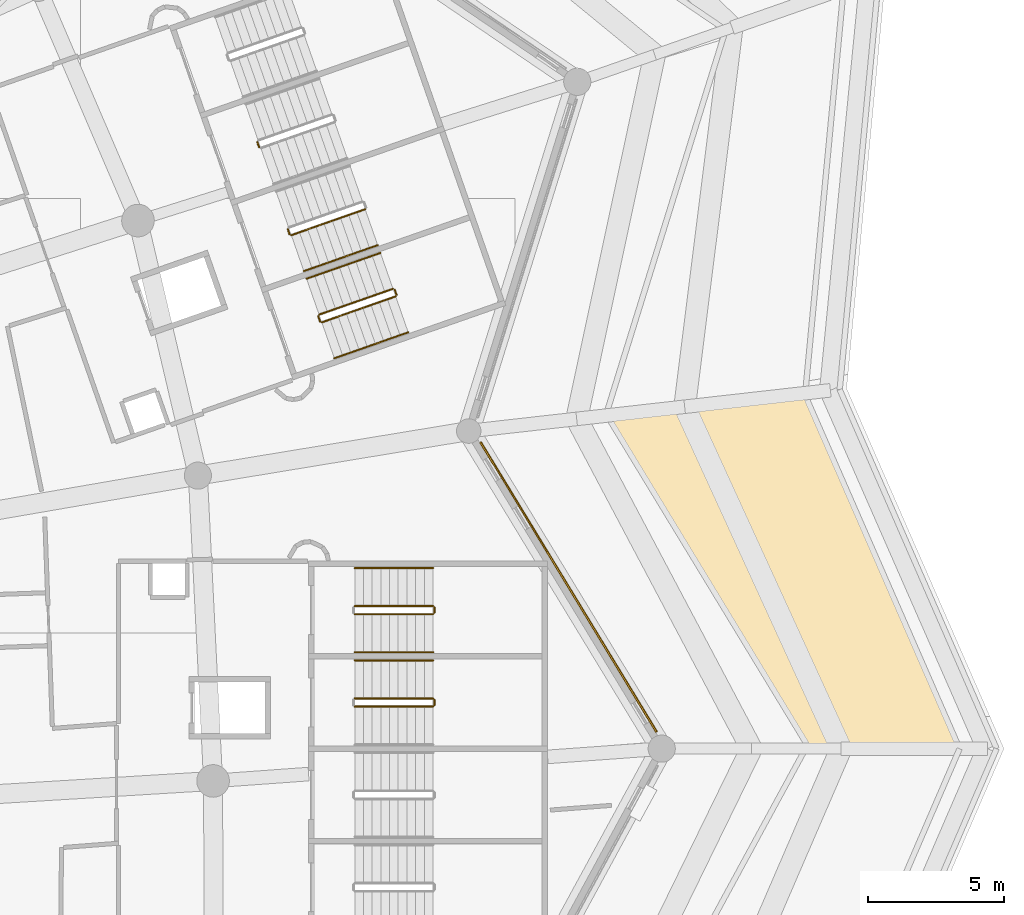
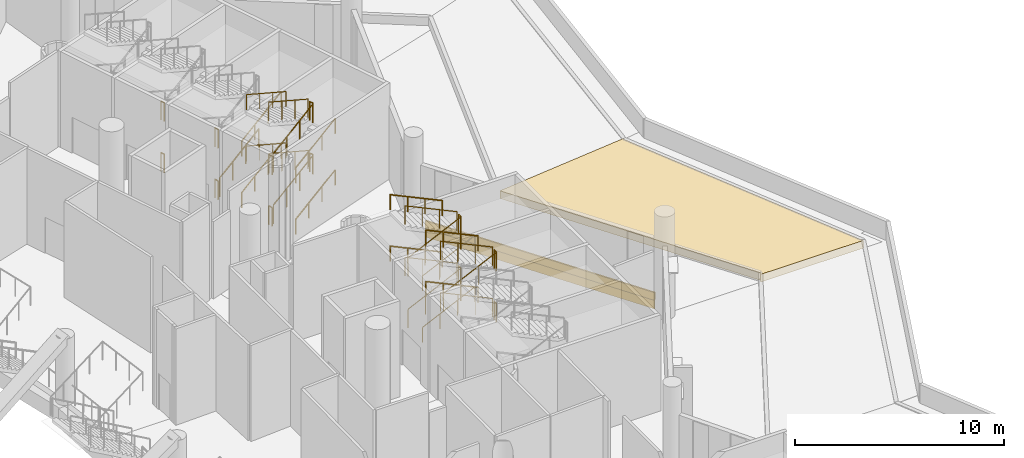
# One storey, part 164 of 173: 36 railings, 3 coverings.
"""IFC4 building model written with IfcOpenShell, lengths in metres."""

from ifc_helpers import new_model, si_unit, direction, frame, origin, origin_2d, place, context, subcontext, project, spatial, polyline, rectangle, circle, outline, extrude, material, layer, layer_set, type_object, element, save


model = new_model("IFC4")

# Units and contexts
model_context = context("Model", 3, precision=1e-05, world=origin(), true_north=direction((0.0, 1.0)))
body_context = subcontext(model_context, "Body", "Model", "MODEL_VIEW")
ifc_project = project(units=[si_unit("LENGTHUNIT", "METRE"), si_unit("AREAUNIT", "SQUARE_METRE"), si_unit("VOLUMEUNIT", "CUBIC_METRE"), si_unit("PLANEANGLEUNIT", "RADIAN"), si_unit("MASSUNIT", "GRAM", prefix="KILO")], contexts=[model_context])

# Site, building, storey
site_placement = place(None, origin())
site = spatial("IfcSite", under=ifc_project, at=site_placement, CompositionType="ELEMENT")
building_placement = place(site_placement, origin())
building = spatial("IfcBuilding", under=site, at=building_placement, Name="Meseta Stadium", CompositionType="ELEMENT")
storey_placement = place(building_placement, frame((0.0, 0.0, 18.0)))
storey = spatial("IfcBuildingStorey", under=building, at=storey_placement, Name="L03", CompositionType="ELEMENT", Elevation=18.0)

# Coverings
ifc_material_1 = material(Name="Guadarrama granite cladding", Category="masonry")
ifc_layer_1 = layer(ifc_material_1, 0.06005859375)
ifc_layer_set_1 = layer_set([ifc_layer_1], Name="Granite plinth cladding 60")
covering_type_1 = type_object("IfcCoveringType", Name="Granite plinth cladding 60", PredefinedType="CLADDING", material=ifc_layer_set_1)
covering_1_placement = place(storey_placement, frame((97.966796875, 49.697509765625, 0.0), z_axis=(0.0, 0.0, 1.0), x_axis=(0.519362515398, -0.854554022634, 0.0)))
element("IfcCovering", 1, at=covering_1_placement, inside=storey, type_object=covering_type_1, Name="Granite plinth L03 F08", PredefinedType="CLADDING", context=body_context, shape_type="SweptSolid", body=[
    extrude(rectangle(XDim=12.492431640625, YDim=0.06005859375, at=origin_2d()), origin(), (0.0, 0.0, 1.0), 0.5),
])
ifc_material_2 = material(Name="Planting soil")
ifc_layer_2 = layer(ifc_material_2, 0.449951171875)
ifc_layer_set_2 = layer_set([ifc_layer_2], Name="Planting soil 450")
covering_type_2 = type_object("IfcCoveringType", Name="Planting soil 450", PredefinedType="FLOORING", material=ifc_layer_set_2)
covering_2_placement = place(storey_placement, origin())
element("IfcCovering", 2, at=covering_2_placement, inside=storey, type_object=covering_type_2, Name="Roof garden planting bed 1.1 panel 05", PredefinedType="FLOORING", context=body_context, shape_type="SweptSolid", body=[
    extrude(outline(polyline([(106.683349609375, 56.83740234375), (99.38720703125, 56.015380859375), (106.763427734375, 43.87841796875), (106.693603515625, 43.75), (112.363037109375, 43.75), (106.676513671875, 56.76416015625), (106.683349609375, 56.83740234375)])), origin(), (0.0, 0.0, 1.0), 0.449951171875),
])

# Railings
ifc_material_3 = material(Name="Steel S355", Category="steel")
railing_type_1 = type_object("IfcRailingType", Name="Stair guard 1100", PredefinedType="GUARDRAIL", material=ifc_material_3)
railing_1_placement = place(storey_placement, frame((93.030029296875, 45.35009765625, 1.5)))
element("IfcRailing", 3, at=railing_1_placement, inside=storey, type_object=railing_type_1, Name="ST19 L03 guard 2", PredefinedType="GUARDRAIL", context=body_context, shape_type="SweptSolid", body=[
    extrude(circle(Radius=0.02392578125, at=origin_2d()), frame((0.0, 0.0, 1.076171875), z_axis=(0.0, 1.0, 0.0), x_axis=(-1.0, 0.0, 0.0)), (0.0, 0.0, 1.0), 0.199951171875),
    extrude(circle(Radius=0.02099609375, at=origin_2d()), origin(), (0.0, 0.0, 1.0), 1.052001953125),
    extrude(circle(Radius=0.02099609375, at=origin_2d()), frame((0.0, 0.199951171875, 0.0)), (0.0, 0.0, 1.0), 1.052001953125),
])
railing_2_placement = place(storey_placement, frame((92.97998046875, 45.60009765625, 1.64990234375)))
element("IfcRailing", 4, at=railing_2_placement, inside=storey, type_object=railing_type_1, Name="ST19 L03 guard 3", PredefinedType="GUARDRAIL", context=body_context, shape_type="SweptSolid", body=[
    extrude(circle(Radius=0.02392578125, at=origin_2d()), frame((0.0, 0.0, 1.076171875), z_axis=(-0.905440498372, 0.0, 0.424473207528), x_axis=(0.0, -1.0, 0.0)), (0.0, 0.0, 1.0), 3.1806640625),
    extrude(circle(Radius=0.02099609375, at=origin_2d()), origin(), (0.0, 0.0, 1.0), 1.052001953125),
    extrude(circle(Radius=0.02099609375, at=origin_2d()), frame((-0.9599609375, 0.0, 0.449951171875)), (0.0, 0.0, 1.0), 1.052001953125),
    extrude(circle(Radius=0.02099609375, at=origin_2d()), frame((-1.919921875, 0.0, 0.900146484375)), (0.0, 0.0, 1.0), 1.052001953125),
    extrude(circle(Radius=0.02099609375, at=origin_2d()), frame((-2.8798828125, 0.0, 1.35009765625)), (0.0, 0.0, 1.0), 1.052001953125),
])
railing_3_placement = place(storey_placement, frame((90.10009765625, 45.300048828125, 3.14990234375)))
element("IfcRailing", 5, at=railing_3_placement, inside=storey, type_object=railing_type_1, Name="ST19 L03 guard 5", PredefinedType="GUARDRAIL", context=body_context, shape_type="SweptSolid", body=[
    extrude(circle(Radius=0.02392578125, at=origin_2d()), frame((0.0, 0.0, 1.076171875), z_axis=(0.905440498372, 0.0, 0.424473207528), x_axis=(0.0, 1.0, 0.0)), (0.0, 0.0, 1.0), 3.1806640625),
    extrude(circle(Radius=0.02099609375, at=origin_2d()), origin(), (0.0, 0.0, 1.0), 1.052001953125),
    extrude(circle(Radius=0.02099609375, at=origin_2d()), frame((0.9599609375, 0.0, 0.449951171875)), (0.0, 0.0, 1.0), 1.052001953125),
    extrude(circle(Radius=0.02099609375, at=origin_2d()), frame((1.919921875, 0.0, 0.900146484375)), (0.0, 0.0, 1.0), 1.052001953125),
    extrude(circle(Radius=0.02099609375, at=origin_2d()), frame((2.8798828125, 0.0, 1.35009765625)), (0.0, 0.0, 1.0), 1.052001953125),
])
railing_4_placement = place(storey_placement, frame((93.030029296875, 45.35009765625, 4.5)))
element("IfcRailing", 6, at=railing_4_placement, inside=storey, type_object=railing_type_1, Name="ST19 L03 guard 6", PredefinedType="GUARDRAIL", context=body_context, shape_type="SweptSolid", body=[
    extrude(circle(Radius=0.02392578125, at=origin_2d()), frame((0.0, 0.0, 1.076171875), z_axis=(0.0, 1.0, 0.0), x_axis=(-1.0, 0.0, 0.0)), (0.0, 0.0, 1.0), 0.199951171875),
    extrude(circle(Radius=0.02099609375, at=origin_2d()), origin(), (0.0, 0.0, 1.0), 1.052001953125),
    extrude(circle(Radius=0.02099609375, at=origin_2d()), frame((0.0, 0.199951171875, 0.0)), (0.0, 0.0, 1.0), 1.052001953125),
])
railing_5_placement = place(storey_placement, frame((92.97998046875, 45.60009765625, 4.64990234375)))
element("IfcRailing", 7, at=railing_5_placement, inside=storey, type_object=railing_type_1, Name="ST19 L03 guard 7", PredefinedType="GUARDRAIL", context=body_context, shape_type="SweptSolid", body=[
    extrude(circle(Radius=0.02392578125, at=origin_2d()), frame((0.0, 0.0, 1.076171875), z_axis=(-0.905440498372, 0.0, 0.424473207528), x_axis=(0.0, -1.0, 0.0)), (0.0, 0.0, 1.0), 3.1806640625),
    extrude(circle(Radius=0.02099609375, at=origin_2d()), origin(), (0.0, 0.0, 1.0), 1.052001953125),
    extrude(circle(Radius=0.02099609375, at=origin_2d()), frame((-0.9599609375, 0.0, 0.449951171875)), (0.0, 0.0, 1.0), 1.052001953125),
    extrude(circle(Radius=0.02099609375, at=origin_2d()), frame((-1.919921875, 0.0, 0.900146484375)), (0.0, 0.0, 1.0), 1.052001953125),
    extrude(circle(Radius=0.02099609375, at=origin_2d()), frame((-2.8798828125, 0.0, 1.35009765625)), (0.0, 0.0, 1.0), 1.052001953125),
])
railing_6_placement = place(storey_placement, frame((90.10009765625, 48.699951171875, 0.14990234375)))
element("IfcRailing", 8, at=railing_6_placement, inside=storey, type_object=railing_type_1, Name="ST20 L03 guard 1", PredefinedType="GUARDRAIL", context=body_context, shape_type="SweptSolid", body=[
    extrude(circle(Radius=0.02392578125, at=origin_2d()), frame((0.0, 0.0, 1.076171875), z_axis=(0.905440498372, 0.0, 0.424473207528), x_axis=(0.0, 1.0, 0.0)), (0.0, 0.0, 1.0), 3.1806640625),
    extrude(circle(Radius=0.02099609375, at=origin_2d()), origin(), (0.0, 0.0, 1.0), 1.052001953125),
    extrude(circle(Radius=0.02099609375, at=origin_2d()), frame((0.9599609375, 0.0, 0.449951171875)), (0.0, 0.0, 1.0), 1.052001953125),
    extrude(circle(Radius=0.02099609375, at=origin_2d()), frame((1.919921875, 0.0, 0.900146484375)), (0.0, 0.0, 1.0), 1.052001953125),
    extrude(circle(Radius=0.02099609375, at=origin_2d()), frame((2.8798828125, 0.0, 1.35009765625)), (0.0, 0.0, 1.0), 1.052001953125),
])
railing_7_placement = place(storey_placement, frame((93.030029296875, 48.75, 1.5)))
element("IfcRailing", 9, at=railing_7_placement, inside=storey, type_object=railing_type_1, Name="ST20 L03 guard 2", PredefinedType="GUARDRAIL", context=body_context, shape_type="SweptSolid", body=[
    extrude(circle(Radius=0.02392578125, at=origin_2d()), frame((0.0, 0.0, 1.076171875), z_axis=(0.0, 1.0, 0.0), x_axis=(-1.0, 0.0, 0.0)), (0.0, 0.0, 1.0), 0.199951171875),
    extrude(circle(Radius=0.02099609375, at=origin_2d()), origin(), (0.0, 0.0, 1.0), 1.052001953125),
    extrude(circle(Radius=0.02099609375, at=origin_2d()), frame((0.0, 0.199951171875, 0.0)), (0.0, 0.0, 1.0), 1.052001953125),
])
railing_8_placement = place(storey_placement, frame((92.97998046875, 49.0, 1.64990234375)))
element("IfcRailing", 10, at=railing_8_placement, inside=storey, type_object=railing_type_1, Name="ST20 L03 guard 3", PredefinedType="GUARDRAIL", context=body_context, shape_type="SweptSolid", body=[
    extrude(circle(Radius=0.02392578125, at=origin_2d()), frame((0.0, 0.0, 1.076171875), z_axis=(-0.905440498372, 0.0, 0.424473207528), x_axis=(0.0, -1.0, 0.0)), (0.0, 0.0, 1.0), 3.1806640625),
    extrude(circle(Radius=0.02099609375, at=origin_2d()), origin(), (0.0, 0.0, 1.0), 1.052001953125),
    extrude(circle(Radius=0.02099609375, at=origin_2d()), frame((-0.9599609375, 0.0, 0.449951171875)), (0.0, 0.0, 1.0), 1.052001953125),
    extrude(circle(Radius=0.02099609375, at=origin_2d()), frame((-1.919921875, 0.0, 0.900146484375)), (0.0, 0.0, 1.0), 1.052001953125),
    extrude(circle(Radius=0.02099609375, at=origin_2d()), frame((-2.8798828125, 0.0, 1.35009765625)), (0.0, 0.0, 1.0), 1.052001953125),
])
railing_9_placement = place(storey_placement, frame((90.10009765625, 48.699951171875, 3.14990234375)))
element("IfcRailing", 11, at=railing_9_placement, inside=storey, type_object=railing_type_1, Name="ST20 L03 guard 5", PredefinedType="GUARDRAIL", context=body_context, shape_type="SweptSolid", body=[
    extrude(circle(Radius=0.02392578125, at=origin_2d()), frame((0.0, 0.0, 1.076171875), z_axis=(0.905440498372, 0.0, 0.424473207528), x_axis=(0.0, 1.0, 0.0)), (0.0, 0.0, 1.0), 3.1806640625),
    extrude(circle(Radius=0.02099609375, at=origin_2d()), origin(), (0.0, 0.0, 1.0), 1.052001953125),
    extrude(circle(Radius=0.02099609375, at=origin_2d()), frame((0.9599609375, 0.0, 0.449951171875)), (0.0, 0.0, 1.0), 1.052001953125),
    extrude(circle(Radius=0.02099609375, at=origin_2d()), frame((1.919921875, 0.0, 0.900146484375)), (0.0, 0.0, 1.0), 1.052001953125),
    extrude(circle(Radius=0.02099609375, at=origin_2d()), frame((2.8798828125, 0.0, 1.35009765625)), (0.0, 0.0, 1.0), 1.052001953125),
])
railing_10_placement = place(storey_placement, frame((93.030029296875, 48.75, 4.5)))
element("IfcRailing", 12, at=railing_10_placement, inside=storey, type_object=railing_type_1, Name="ST20 L03 guard 6", PredefinedType="GUARDRAIL", context=body_context, shape_type="SweptSolid", body=[
    extrude(circle(Radius=0.02392578125, at=origin_2d()), frame((0.0, 0.0, 1.076171875), z_axis=(0.0, 1.0, 0.0), x_axis=(-1.0, 0.0, 0.0)), (0.0, 0.0, 1.0), 0.199951171875),
    extrude(circle(Radius=0.02099609375, at=origin_2d()), origin(), (0.0, 0.0, 1.0), 1.052001953125),
    extrude(circle(Radius=0.02099609375, at=origin_2d()), frame((0.0, 0.199951171875, 0.0)), (0.0, 0.0, 1.0), 1.052001953125),
])
railing_11_placement = place(storey_placement, frame((92.97998046875, 49.0, 4.64990234375)))
element("IfcRailing", 13, at=railing_11_placement, inside=storey, type_object=railing_type_1, Name="ST20 L03 guard 7", PredefinedType="GUARDRAIL", context=body_context, shape_type="SweptSolid", body=[
    extrude(circle(Radius=0.02392578125, at=origin_2d()), frame((0.0, 0.0, 1.076171875), z_axis=(-0.905440498372, 0.0, 0.424473207528), x_axis=(0.0, -1.0, 0.0)), (0.0, 0.0, 1.0), 3.1806640625),
    extrude(circle(Radius=0.02099609375, at=origin_2d()), origin(), (0.0, 0.0, 1.0), 1.052001953125),
    extrude(circle(Radius=0.02099609375, at=origin_2d()), frame((-0.9599609375, 0.0, 0.449951171875)), (0.0, 0.0, 1.0), 1.052001953125),
    extrude(circle(Radius=0.02099609375, at=origin_2d()), frame((-1.919921875, 0.0, 0.900146484375)), (0.0, 0.0, 1.0), 1.052001953125),
    extrude(circle(Radius=0.02099609375, at=origin_2d()), frame((-2.8798828125, 0.0, 1.35009765625)), (0.0, 0.0, 1.0), 1.052001953125),
])
railing_12_placement = place(storey_placement, frame((88.88720703125, 59.44482421875, 0.14990234375)))
element("IfcRailing", 14, at=railing_12_placement, inside=storey, type_object=railing_type_1, Name="ST21 L03 guard 1", PredefinedType="GUARDRAIL", context=body_context, shape_type="SweptSolid", body=[
    extrude(circle(Radius=0.02392578125, at=origin_2d()), frame((0.0, 0.0, 1.076171875), z_axis=(0.854649344405, 0.299031328765, 0.42444641891), x_axis=(-0.330256026668, 0.943891390388, 0.0)), (0.0, 0.0, 1.0), 3.180908203125),
    extrude(circle(Radius=0.02099609375, at=origin_2d()), origin(), (0.0, 0.0, 1.0), 1.052001953125),
    extrude(circle(Radius=0.02099609375, at=origin_2d()), frame((0.90625, 0.317138671875, 0.449951171875)), (0.0, 0.0, 1.0), 1.052001953125),
    extrude(circle(Radius=0.02099609375, at=origin_2d()), frame((1.812255859375, 0.634033203125, 0.900146484375)), (0.0, 0.0, 1.0), 1.052001953125),
    extrude(circle(Radius=0.02099609375, at=origin_2d()), frame((2.718505859375, 0.951171875, 1.35009765625)), (0.0, 0.0, 1.0), 1.052001953125),
])
railing_13_placement = place(storey_placement, frame((91.63623046875, 60.459716796875, 1.5)))
element("IfcRailing", 15, at=railing_13_placement, inside=storey, type_object=railing_type_1, Name="ST21 L03 guard 2", PredefinedType="GUARDRAIL", context=body_context, shape_type="SweptSolid", body=[
    extrude(circle(Radius=0.02392578125, at=origin_2d()), frame((0.0, 0.0, 1.076171875), z_axis=(-0.329751946816, 0.944067610699, 0.0), x_axis=(-0.944067610699, -0.329751946816, 0.0)), (0.0, 0.0, 1.0), 0.199951171875),
    extrude(circle(Radius=0.02099609375, at=origin_2d()), origin(), (0.0, 0.0, 1.0), 1.052001953125),
    extrude(circle(Radius=0.02099609375, at=origin_2d()), frame((-0.06591796875, 0.188720703125, 0.0)), (0.0, 0.0, 1.0), 1.052001953125),
])
railing_14_placement = place(storey_placement, frame((91.506591796875, 60.67919921875, 1.64990234375)))
element("IfcRailing", 16, at=railing_14_placement, inside=storey, type_object=railing_type_1, Name="ST21 L03 guard 3", PredefinedType="GUARDRAIL", context=body_context, shape_type="SweptSolid", body=[
    extrude(circle(Radius=0.02392578125, at=origin_2d()), frame((0.0, 0.0, 1.076171875), z_axis=(-0.854649344405, -0.299031328765, 0.42444641891), x_axis=(0.330256026668, -0.943891390388, 0.0)), (0.0, 0.0, 1.0), 3.180908203125),
    extrude(circle(Radius=0.02099609375, at=origin_2d()), origin(), (0.0, 0.0, 1.0), 1.052001953125),
    extrude(circle(Radius=0.02099609375, at=origin_2d()), frame((-0.90625, -0.317138671875, 0.449951171875)), (0.0, 0.0, 1.0), 1.052001953125),
    extrude(circle(Radius=0.02099609375, at=origin_2d()), frame((-1.812255859375, -0.634033203125, 0.900146484375)), (0.0, 0.0, 1.0), 1.052001953125),
    extrude(circle(Radius=0.02099609375, at=origin_2d()), frame((-2.718505859375, -0.951171875, 1.35009765625)), (0.0, 0.0, 1.0), 1.052001953125),
])
railing_15_placement = place(storey_placement, frame((88.823486328125, 59.475341796875, 3.0)))
element("IfcRailing", 17, at=railing_15_placement, inside=storey, type_object=railing_type_1, Name="ST21 L03 guard 4", PredefinedType="GUARDRAIL", context=body_context, shape_type="SweptSolid", body=[
    extrude(circle(Radius=0.02392578125, at=origin_2d()), frame((0.0, 0.0, 1.076171875), z_axis=(-0.329372156318, 0.944200181446, 0.0), x_axis=(-0.944200181446, -0.329372156318, 0.0)), (0.0, 0.0, 1.0), 0.2001953125),
    extrude(circle(Radius=0.02099609375, at=origin_2d()), origin(), (0.0, 0.0, 1.0), 1.052001953125),
    extrude(circle(Radius=0.02099609375, at=origin_2d()), frame((-0.06591796875, 0.18896484375, 0.0)), (0.0, 0.0, 1.0), 1.052001953125),
])
railing_16_placement = place(storey_placement, frame((88.88720703125, 59.44482421875, 3.14990234375)))
element("IfcRailing", 18, at=railing_16_placement, inside=storey, type_object=railing_type_1, Name="ST21 L03 guard 5", PredefinedType="GUARDRAIL", context=body_context, shape_type="SweptSolid", body=[
    extrude(circle(Radius=0.02392578125, at=origin_2d()), frame((0.0, 0.0, 1.076171875), z_axis=(0.854649344405, 0.299031328765, 0.42444641891), x_axis=(-0.330256026668, 0.943891390388, 0.0)), (0.0, 0.0, 1.0), 3.180908203125),
    extrude(circle(Radius=0.02099609375, at=origin_2d()), origin(), (0.0, 0.0, 1.0), 1.052001953125),
    extrude(circle(Radius=0.02099609375, at=origin_2d()), frame((0.90625, 0.317138671875, 0.449951171875)), (0.0, 0.0, 1.0), 1.052001953125),
    extrude(circle(Radius=0.02099609375, at=origin_2d()), frame((1.812255859375, 0.634033203125, 0.900146484375)), (0.0, 0.0, 1.0), 1.052001953125),
    extrude(circle(Radius=0.02099609375, at=origin_2d()), frame((2.718505859375, 0.951171875, 1.35009765625)), (0.0, 0.0, 1.0), 1.052001953125),
])
railing_17_placement = place(storey_placement, frame((91.63623046875, 60.459716796875, 4.5)))
element("IfcRailing", 19, at=railing_17_placement, inside=storey, type_object=railing_type_1, Name="ST21 L03 guard 6", PredefinedType="GUARDRAIL", context=body_context, shape_type="SweptSolid", body=[
    extrude(circle(Radius=0.02392578125, at=origin_2d()), frame((0.0, 0.0, 1.076171875), z_axis=(-0.329751946816, 0.944067610699, 0.0), x_axis=(-0.944067610699, -0.329751946816, 0.0)), (0.0, 0.0, 1.0), 0.199951171875),
    extrude(circle(Radius=0.02099609375, at=origin_2d()), origin(), (0.0, 0.0, 1.0), 1.052001953125),
    extrude(circle(Radius=0.02099609375, at=origin_2d()), frame((-0.06591796875, 0.188720703125, 0.0)), (0.0, 0.0, 1.0), 1.052001953125),
])
railing_18_placement = place(storey_placement, frame((91.506591796875, 60.67919921875, 4.64990234375)))
element("IfcRailing", 20, at=railing_18_placement, inside=storey, type_object=railing_type_1, Name="ST21 L03 guard 7", PredefinedType="GUARDRAIL", context=body_context, shape_type="SweptSolid", body=[
    extrude(circle(Radius=0.02392578125, at=origin_2d()), frame((0.0, 0.0, 1.076171875), z_axis=(-0.854649344405, -0.299031328765, 0.42444641891), x_axis=(0.330256026668, -0.943891390388, 0.0)), (0.0, 0.0, 1.0), 3.180908203125),
    extrude(circle(Radius=0.02099609375, at=origin_2d()), origin(), (0.0, 0.0, 1.0), 1.052001953125),
    extrude(circle(Radius=0.02099609375, at=origin_2d()), frame((-0.90625, -0.317138671875, 0.449951171875)), (0.0, 0.0, 1.0), 1.052001953125),
    extrude(circle(Radius=0.02099609375, at=origin_2d()), frame((-1.812255859375, -0.634033203125, 0.900146484375)), (0.0, 0.0, 1.0), 1.052001953125),
    extrude(circle(Radius=0.02099609375, at=origin_2d()), frame((-2.718505859375, -0.951171875, 1.35009765625)), (0.0, 0.0, 1.0), 1.052001953125),
])
railing_19_placement = place(storey_placement, frame((88.823486328125, 59.475341796875, 0.0)))
element("IfcRailing", 21, at=railing_19_placement, inside=storey, type_object=railing_type_1, Name="ST21 L03 guard 8", PredefinedType="GUARDRAIL", context=body_context, shape_type="SweptSolid", body=[
    extrude(circle(Radius=0.02392578125, at=origin_2d()), frame((0.0, 0.0, 1.076171875), z_axis=(-0.329372156318, 0.944200181446, 0.0), x_axis=(-0.944200181446, -0.329372156318, 0.0)), (0.0, 0.0, 1.0), 0.2001953125),
    extrude(circle(Radius=0.02099609375, at=origin_2d()), origin(), (0.0, 0.0, 1.0), 1.052001953125),
    extrude(circle(Radius=0.02099609375, at=origin_2d()), frame((-0.06591796875, 0.18896484375, 0.0)), (0.0, 0.0, 1.0), 1.052001953125),
])
railing_20_placement = place(storey_placement, frame((87.764404296875, 62.654052734375, 0.14990234375)))
element("IfcRailing", 22, at=railing_20_placement, inside=storey, type_object=railing_type_1, Name="ST22 L03 guard 1", PredefinedType="GUARDRAIL", context=body_context, shape_type="SweptSolid", body=[
    extrude(circle(Radius=0.02392578125, at=origin_2d()), frame((0.0, 0.0, 1.076171875), z_axis=(0.854628651604, 0.299050945451, 0.424474262922), x_axis=(-0.33028245302, 0.943882143717, 0.0)), (0.0, 0.0, 1.0), 3.1806640625),
    extrude(circle(Radius=0.02099609375, at=origin_2d()), origin(), (0.0, 0.0, 1.0), 1.052001953125),
    extrude(circle(Radius=0.02099609375, at=origin_2d()), frame((0.906005859375, 0.317138671875, 0.449951171875)), (0.0, 0.0, 1.0), 1.052001953125),
    extrude(circle(Radius=0.02099609375, at=origin_2d()), frame((1.812255859375, 0.634033203125, 0.900146484375)), (0.0, 0.0, 1.0), 1.052001953125),
    extrude(circle(Radius=0.02099609375, at=origin_2d()), frame((2.71826171875, 0.951171875, 1.35009765625)), (0.0, 0.0, 1.0), 1.052001953125),
])
for number, where, name in (
    (23, (87.70068359375, 62.6845703125, 3.0), "ST22 L03 guard 4"),
    (24, (87.70068359375, 62.6845703125, 0.0), "ST22 L03 guard 8"),
):
    element("IfcRailing", number, at=place(storey_placement, frame(where)), inside=storey, type_object=railing_type_1, Name=name, PredefinedType="GUARDRAIL", context=body_context, shape_type="SweptSolid", body=[
        extrude(circle(Radius=0.02392578125, at=origin_2d()), frame((0.0, 0.0, 1.076171875), z_axis=(-0.330459055601, 0.943820328543, 0.0), x_axis=(-0.943820328543, -0.330459055601, 0.0)), (0.0, 0.0, 1.0), 0.2001953125),
        extrude(circle(Radius=0.02099609375, at=origin_2d()), origin(), (0.0, 0.0, 1.0), 1.052001953125),
        extrude(circle(Radius=0.02099609375, at=origin_2d()), frame((-0.066162109375, 0.18896484375, 0.0)), (0.0, 0.0, 1.0), 1.052001953125),
    ])
for number, where, name in (
    (25, (86.57763671875, 65.893798828125, 3.0), "ST23 L03 guard 4"),
    (26, (86.57763671875, 65.893798828125, 0.0), "ST23 L03 guard 8"),
):
    element("IfcRailing", number, at=place(storey_placement, frame(where)), inside=storey, type_object=railing_type_1, Name=name, PredefinedType="GUARDRAIL", context=body_context, shape_type="SweptSolid", body=[
        extrude(circle(Radius=0.02392578125, at=origin_2d()), frame((0.0, 0.0, 1.076171875), z_axis=(-0.329372156318, 0.944200181446, 0.0), x_axis=(-0.944200181446, -0.329372156318, 0.0)), (0.0, 0.0, 1.0), 0.2001953125),
        extrude(circle(Radius=0.02099609375, at=origin_2d()), origin(), (0.0, 0.0, 1.0), 1.052001953125),
        extrude(circle(Radius=0.02099609375, at=origin_2d()), frame((-0.06591796875, 0.18896484375, 0.0)), (0.0, 0.0, 1.0), 1.052001953125),
    ])
ifc_material_4 = material(Name="Steel S355", Category="steel")
railing_type_2 = type_object("IfcRailingType", Name="Stair handrail 900", PredefinedType="HANDRAIL", material=ifc_material_4)
for number, where, name in (
    (27, (92.97998046875, 47.0, 1.64990234375), "ST19 L03 handrail 2"),
    (28, (92.97998046875, 47.0, 4.64990234375), "ST19 L03 handrail 4"),
):
    element("IfcRailing", number, at=place(storey_placement, frame(where)), inside=storey, type_object=railing_type_2, Name=name, PredefinedType="HANDRAIL", context=body_context, shape_type="SweptSolid", body=[
        extrude(circle(Radius=0.02392578125, at=origin_2d()), frame((0.0, 0.0, 0.8759765625), z_axis=(-0.905440498372, 0.0, 0.424473207528), x_axis=(0.0, -1.0, 0.0)), (0.0, 0.0, 1.0), 3.1806640625),
        extrude(circle(Radius=0.02099609375, at=origin_2d()), origin(), (0.0, 0.0, 1.0), 0.851806640625),
        extrude(circle(Radius=0.02099609375, at=origin_2d()), frame((-0.9599609375, 0.0, 0.449951171875)), (0.0, 0.0, 1.0), 0.851806640625),
        extrude(circle(Radius=0.02099609375, at=origin_2d()), frame((-1.919921875, 0.0, 0.900146484375)), (0.0, 0.0, 1.0), 0.851806640625),
        extrude(circle(Radius=0.02099609375, at=origin_2d()), frame((-2.8798828125, 0.0, 1.35009765625)), (0.0, 0.0, 1.0), 0.851806640625),
    ])
railing_21_placement = place(storey_placement, frame((90.10009765625, 47.300048828125, 0.14990234375)))
element("IfcRailing", 29, at=railing_21_placement, inside=storey, type_object=railing_type_2, Name="ST20 L03 handrail 1", PredefinedType="HANDRAIL", context=body_context, shape_type="SweptSolid", body=[
    extrude(circle(Radius=0.02392578125, at=origin_2d()), frame((0.0, 0.0, 0.8759765625), z_axis=(0.905440498372, 0.0, 0.424473207528), x_axis=(0.0, 1.0, 0.0)), (0.0, 0.0, 1.0), 3.1806640625),
    extrude(circle(Radius=0.02099609375, at=origin_2d()), origin(), (0.0, 0.0, 1.0), 0.851806640625),
    extrude(circle(Radius=0.02099609375, at=origin_2d()), frame((0.9599609375, 0.0, 0.449951171875)), (0.0, 0.0, 1.0), 0.851806640625),
    extrude(circle(Radius=0.02099609375, at=origin_2d()), frame((1.919921875, 0.0, 0.900146484375)), (0.0, 0.0, 1.0), 0.851806640625),
    extrude(circle(Radius=0.02099609375, at=origin_2d()), frame((2.8798828125, 0.0, 1.35009765625)), (0.0, 0.0, 1.0), 0.851806640625),
])
railing_22_placement = place(storey_placement, frame((92.97998046875, 50.39990234375, 1.64990234375)))
element("IfcRailing", 30, at=railing_22_placement, inside=storey, type_object=railing_type_2, Name="ST20 L03 handrail 2", PredefinedType="HANDRAIL", context=body_context, shape_type="SweptSolid", body=[
    extrude(circle(Radius=0.02392578125, at=origin_2d()), frame((0.0, 0.0, 0.8759765625), z_axis=(-0.905440498372, 0.0, 0.424473207528), x_axis=(0.0, -1.0, 0.0)), (0.0, 0.0, 1.0), 3.1806640625),
    extrude(circle(Radius=0.02099609375, at=origin_2d()), origin(), (0.0, 0.0, 1.0), 0.851806640625),
    extrude(circle(Radius=0.02099609375, at=origin_2d()), frame((-0.9599609375, 0.0, 0.449951171875)), (0.0, 0.0, 1.0), 0.851806640625),
    extrude(circle(Radius=0.02099609375, at=origin_2d()), frame((-1.919921875, 0.0, 0.900146484375)), (0.0, 0.0, 1.0), 0.851806640625),
    extrude(circle(Radius=0.02099609375, at=origin_2d()), frame((-2.8798828125, 0.0, 1.35009765625)), (0.0, 0.0, 1.0), 0.851806640625),
])
railing_23_placement = place(storey_placement, frame((90.10009765625, 47.300048828125, 3.14990234375)))
element("IfcRailing", 31, at=railing_23_placement, inside=storey, type_object=railing_type_2, Name="ST20 L03 handrail 3", PredefinedType="HANDRAIL", context=body_context, shape_type="SweptSolid", body=[
    extrude(circle(Radius=0.02392578125, at=origin_2d()), frame((0.0, 0.0, 0.8759765625), z_axis=(0.905440498372, 0.0, 0.424473207528), x_axis=(0.0, 1.0, 0.0)), (0.0, 0.0, 1.0), 3.1806640625),
    extrude(circle(Radius=0.02099609375, at=origin_2d()), origin(), (0.0, 0.0, 1.0), 0.851806640625),
    extrude(circle(Radius=0.02099609375, at=origin_2d()), frame((0.9599609375, 0.0, 0.449951171875)), (0.0, 0.0, 1.0), 0.851806640625),
    extrude(circle(Radius=0.02099609375, at=origin_2d()), frame((1.919921875, 0.0, 0.900146484375)), (0.0, 0.0, 1.0), 0.851806640625),
    extrude(circle(Radius=0.02099609375, at=origin_2d()), frame((2.8798828125, 0.0, 1.35009765625)), (0.0, 0.0, 1.0), 0.851806640625),
])
railing_24_placement = place(storey_placement, frame((92.97998046875, 50.39990234375, 4.64990234375)))
element("IfcRailing", 32, at=railing_24_placement, inside=storey, type_object=railing_type_2, Name="ST20 L03 handrail 4", PredefinedType="HANDRAIL", context=body_context, shape_type="SweptSolid", body=[
    extrude(circle(Radius=0.02392578125, at=origin_2d()), frame((0.0, 0.0, 0.8759765625), z_axis=(-0.905440498372, 0.0, 0.424473207528), x_axis=(0.0, -1.0, 0.0)), (0.0, 0.0, 1.0), 3.1806640625),
    extrude(circle(Radius=0.02099609375, at=origin_2d()), origin(), (0.0, 0.0, 1.0), 0.851806640625),
    extrude(circle(Radius=0.02099609375, at=origin_2d()), frame((-0.9599609375, 0.0, 0.449951171875)), (0.0, 0.0, 1.0), 0.851806640625),
    extrude(circle(Radius=0.02099609375, at=origin_2d()), frame((-1.919921875, 0.0, 0.900146484375)), (0.0, 0.0, 1.0), 0.851806640625),
    extrude(circle(Radius=0.02099609375, at=origin_2d()), frame((-2.8798828125, 0.0, 1.35009765625)), (0.0, 0.0, 1.0), 0.851806640625),
])
railing_25_placement = place(storey_placement, frame((89.349609375, 58.123291015625, 0.14990234375)))
element("IfcRailing", 33, at=railing_25_placement, inside=storey, type_object=railing_type_2, Name="ST21 L03 handrail 1", PredefinedType="HANDRAIL", context=body_context, shape_type="SweptSolid", body=[
    extrude(circle(Radius=0.02392578125, at=origin_2d()), frame((0.0, 0.0, 0.8759765625), z_axis=(0.854649344405, 0.299031328765, 0.42444641891), x_axis=(-0.330256026668, 0.943891390388, 0.0)), (0.0, 0.0, 1.0), 3.180908203125),
    extrude(circle(Radius=0.02099609375, at=origin_2d()), origin(), (0.0, 0.0, 1.0), 0.851806640625),
    extrude(circle(Radius=0.02099609375, at=origin_2d()), frame((0.90625, 0.317138671875, 0.449951171875)), (0.0, 0.0, 1.0), 0.851806640625),
    extrude(circle(Radius=0.02099609375, at=origin_2d()), frame((1.812255859375, 0.634033203125, 0.900146484375)), (0.0, 0.0, 1.0), 0.851806640625),
    extrude(circle(Radius=0.02099609375, at=origin_2d()), frame((2.718505859375, 0.951171875, 1.35009765625)), (0.0, 0.0, 1.0), 0.851806640625),
])
railing_26_placement = place(storey_placement, frame((91.044189453125, 62.00048828125, 1.64990234375)))
element("IfcRailing", 34, at=railing_26_placement, inside=storey, type_object=railing_type_2, Name="ST21 L03 handrail 2", PredefinedType="HANDRAIL", context=body_context, shape_type="SweptSolid", body=[
    extrude(circle(Radius=0.02392578125, at=origin_2d()), frame((0.0, 0.0, 0.8759765625), z_axis=(-0.854649344405, -0.299031328765, 0.42444641891), x_axis=(0.330256026668, -0.943891390388, 0.0)), (0.0, 0.0, 1.0), 3.180908203125),
    extrude(circle(Radius=0.02099609375, at=origin_2d()), origin(), (0.0, 0.0, 1.0), 0.851806640625),
    extrude(circle(Radius=0.02099609375, at=origin_2d()), frame((-0.90625, -0.317138671875, 0.449951171875)), (0.0, 0.0, 1.0), 0.851806640625),
    extrude(circle(Radius=0.02099609375, at=origin_2d()), frame((-1.812255859375, -0.634033203125, 0.900146484375)), (0.0, 0.0, 1.0), 0.851806640625),
    extrude(circle(Radius=0.02099609375, at=origin_2d()), frame((-2.718505859375, -0.951171875, 1.35009765625)), (0.0, 0.0, 1.0), 0.851806640625),
])
railing_27_placement = place(storey_placement, frame((89.349609375, 58.123291015625, 3.14990234375)))
element("IfcRailing", 35, at=railing_27_placement, inside=storey, type_object=railing_type_2, Name="ST21 L03 handrail 3", PredefinedType="HANDRAIL", context=body_context, shape_type="SweptSolid", body=[
    extrude(circle(Radius=0.02392578125, at=origin_2d()), frame((0.0, 0.0, 0.8759765625), z_axis=(0.854649344405, 0.299031328765, 0.42444641891), x_axis=(-0.330256026668, 0.943891390388, 0.0)), (0.0, 0.0, 1.0), 3.180908203125),
    extrude(circle(Radius=0.02099609375, at=origin_2d()), origin(), (0.0, 0.0, 1.0), 0.851806640625),
    extrude(circle(Radius=0.02099609375, at=origin_2d()), frame((0.90625, 0.317138671875, 0.449951171875)), (0.0, 0.0, 1.0), 0.851806640625),
    extrude(circle(Radius=0.02099609375, at=origin_2d()), frame((1.812255859375, 0.634033203125, 0.900146484375)), (0.0, 0.0, 1.0), 0.851806640625),
    extrude(circle(Radius=0.02099609375, at=origin_2d()), frame((2.718505859375, 0.951171875, 1.35009765625)), (0.0, 0.0, 1.0), 0.851806640625),
])
railing_28_placement = place(storey_placement, frame((91.044189453125, 62.00048828125, 4.64990234375)))
element("IfcRailing", 36, at=railing_28_placement, inside=storey, type_object=railing_type_2, Name="ST21 L03 handrail 4", PredefinedType="HANDRAIL", context=body_context, shape_type="SweptSolid", body=[
    extrude(circle(Radius=0.02392578125, at=origin_2d()), frame((0.0, 0.0, 0.8759765625), z_axis=(-0.854649344405, -0.299031328765, 0.42444641891), x_axis=(0.330256026668, -0.943891390388, 0.0)), (0.0, 0.0, 1.0), 3.180908203125),
    extrude(circle(Radius=0.02099609375, at=origin_2d()), origin(), (0.0, 0.0, 1.0), 0.851806640625),
    extrude(circle(Radius=0.02099609375, at=origin_2d()), frame((-0.90625, -0.317138671875, 0.449951171875)), (0.0, 0.0, 1.0), 0.851806640625),
    extrude(circle(Radius=0.02099609375, at=origin_2d()), frame((-1.812255859375, -0.634033203125, 0.900146484375)), (0.0, 0.0, 1.0), 0.851806640625),
    extrude(circle(Radius=0.02099609375, at=origin_2d()), frame((-2.718505859375, -0.951171875, 1.35009765625)), (0.0, 0.0, 1.0), 0.851806640625),
])
for number, where, name in (
    (37, (88.226806640625, 61.33251953125, 0.14990234375), "ST22 L03 handrail 1"),
    (38, (88.226806640625, 61.33251953125, 3.14990234375), "ST22 L03 handrail 3"),
):
    element("IfcRailing", number, at=place(storey_placement, frame(where)), inside=storey, type_object=railing_type_2, Name=name, PredefinedType="HANDRAIL", context=body_context, shape_type="SweptSolid", body=[
        extrude(circle(Radius=0.02392578125, at=origin_2d()), frame((0.0, 0.0, 0.8759765625), z_axis=(0.854628651604, 0.299050945451, 0.424474262922), x_axis=(-0.33028245302, 0.943882143717, 0.0)), (0.0, 0.0, 1.0), 3.1806640625),
        extrude(circle(Radius=0.02099609375, at=origin_2d()), origin(), (0.0, 0.0, 1.0), 0.851806640625),
        extrude(circle(Radius=0.02099609375, at=origin_2d()), frame((0.906005859375, 0.317138671875, 0.449951171875)), (0.0, 0.0, 1.0), 0.851806640625),
        extrude(circle(Radius=0.02099609375, at=origin_2d()), frame((1.812255859375, 0.634033203125, 0.900146484375)), (0.0, 0.0, 1.0), 0.851806640625),
        extrude(circle(Radius=0.02099609375, at=origin_2d()), frame((2.71826171875, 0.951171875, 1.35009765625)), (0.0, 0.0, 1.0), 0.851806640625),
    ])

# Covering
ifc_material_5 = material(Name="Precast concrete C40/50, terracotta pigment", Category="masonry")
ifc_layer_3 = layer(ifc_material_5, 0.080078125)
ifc_layer_set_3 = layer_set([ifc_layer_3], Name="Precast concrete C40/50, terracotta pigment")
covering_type_3 = type_object("IfcCoveringType", Name="Terracotta precast band 80", PredefinedType="CLADDING", material=ifc_layer_set_3)
covering_3_placement = place(storey_placement, frame((97.97509765625, 49.702880859375, 0.5), z_axis=(0.0, 0.0, 1.0), x_axis=(0.519362515398, -0.854554022634, 0.0)))
element("IfcCovering", 39, at=covering_3_placement, inside=storey, type_object=covering_type_3, Name="Terracotta band L03 F08", PredefinedType="CLADDING", context=body_context, shape_type="SweptSolid", body=[
    extrude(rectangle(XDim=12.492431640625, YDim=0.080078125, at=origin_2d()), origin(), (0.0, 0.0, 1.0), 0.449951171875),
])

save(model, "model.ifc")
